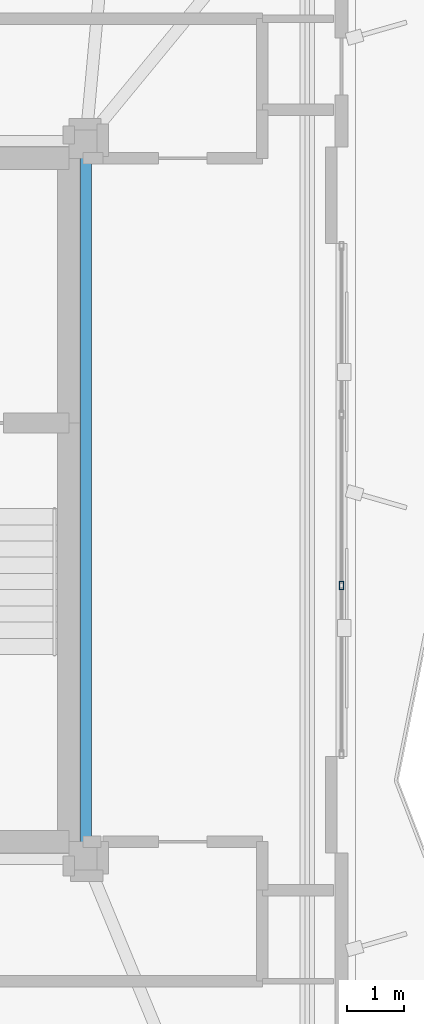
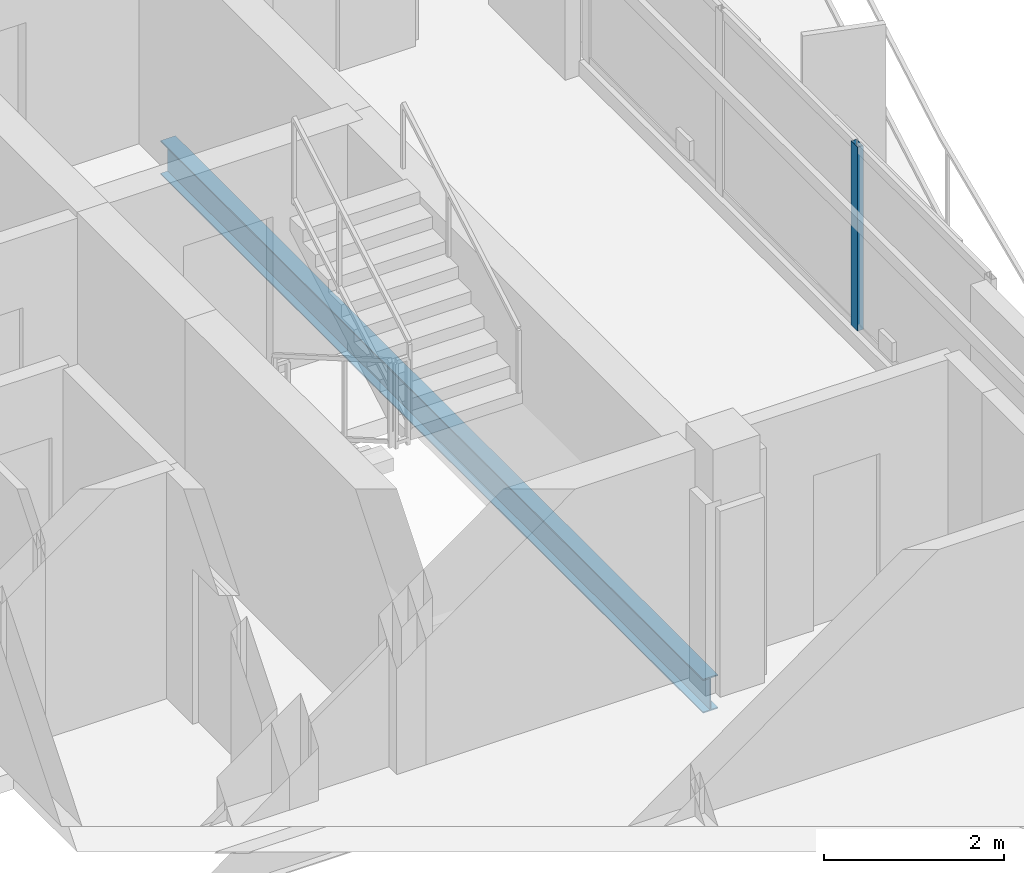
# One storey, part 11 of 22: 1 beam, 1 member, 1 element without a shape of its own.
"""IFC4 building model written with IfcOpenShell, lengths in metres."""

from ifc_helpers import new_model, si_unit, direction, frame, origin, origin_2d, place, context, subcontext, project, spatial, hollow_rectangle, i_section, extrude, material, layer, layer_set, material_profile, profile_set, type_object, element, aggregate, save


model = new_model("IFC4")

# Units and contexts
model_context = context("Model", 3, precision=1e-05, world=origin(), true_north=direction((0.0, 1.0)))
body_context = subcontext(model_context, "Body", "Model", "MODEL_VIEW")
ifc_project = project(units=[si_unit("LENGTHUNIT", "METRE"), si_unit("AREAUNIT", "SQUARE_METRE"), si_unit("VOLUMEUNIT", "CUBIC_METRE"), si_unit("PLANEANGLEUNIT", "RADIAN"), si_unit("MASSUNIT", "GRAM", prefix="KILO")], contexts=[model_context])

# Site, building, storey
site_placement = place(None, origin())
site = spatial("IfcSite", under=ifc_project, at=site_placement, CompositionType="ELEMENT")
building_placement = place(site_placement, origin())
building = spatial("IfcBuilding", under=site, at=building_placement, Name="Mersakhor Tower and Convention Hall", CompositionType="ELEMENT")
storey_placement = place(building_placement, frame((0.0, 0.0, 208.5)))
storey = spatial("IfcBuildingStorey", under=building, at=storey_placement, Name="L58", CompositionType="ELEMENT", Elevation=208.5)

# Beam
ifc_material_1 = material(Name="Steel S355", Category="steel")
ifc_material_profile_1 = material_profile(ifc_material_1, i_section(OverallWidth=0.19140625, OverallDepth=0.4599609375, WebThickness=0.010009765625, FlangeThickness=0.01611328125, at=origin_2d()), Name="UB 457x191x82")
ifc_profile_set_1 = profile_set([ifc_material_profile_1], Name="Steel S355")
beam_type = type_object("IfcBeamType", Name="BM-FB-457", PredefinedType="BEAM", material=ifc_profile_set_1)
beam_placement = place(storey_placement, frame((36.10009765625, 32.77001953125, -0.4599609375), z_axis=(0.0, -1.0, 0.0), x_axis=(1.0, 0.0, 0.0)))
element("IfcBeam", 1, at=beam_placement, inside=storey, type_object=beam_type, Name="L58 Core Ring Tie Beam CRB-3", PredefinedType="BEAM", context=body_context, shape_type="SweptSolid", body=[
    extrude(i_section(OverallWidth=0.19140625, OverallDepth=0.4599609375, WebThickness=0.010009765625, FlangeThickness=0.01611328125, at=origin_2d()), origin(), (0.0, 0.0, 1.0), 12.0400390625),
])

# Curtain wall, member
ifc_material_2 = material(Name="Dark solar low-E aluminium curtain wall", Category="aluminium")
ifc_layer = layer(ifc_material_2, 0.169921875)
ifc_layer_set = layer_set([ifc_layer], Name="Dark solar low-E aluminium curtain wall")
curtain_wall_type = type_object("IfcCurtainWallType", Name="CW-SYS-02", PredefinedType="USERDEFINED", material=ifc_layer_set)
curtain_wall_placement = place(storey_placement, origin())
curtain_wall = element("IfcCurtainWall", 2, at=curtain_wall_placement, inside=storey, type_object=curtain_wall_type, Name="L58 Dark-Glass Curtain Wall F2-B2", ObjectType="CURTAIN WALL", PredefinedType="USERDEFINED")
ifc_material_3 = material(Name="Anodised aluminium EN AW-6063 T6", Category="aluminium")
ifc_material_profile_2 = material_profile(ifc_material_3, hollow_rectangle(XDim=0.074951171875, YDim=0.14990234375, WallThickness=0.00634765625, at=origin_2d()), Name="RHS 150x75x6.3")
ifc_profile_set_2 = profile_set([ifc_material_profile_2], Name="Anodised aluminium EN AW-6063 T6")
member_type = type_object("IfcMemberType", Name="CWM-150x75", PredefinedType="MULLION", material=ifc_profile_set_2)
member_placement = place(storey_placement, frame((40.58837890625, 25.250244140625, 0.199951171875), z_axis=(0.0, 0.0, 1.0), x_axis=(1.0, 0.0, 0.0)))
member = element("IfcMember", 3, at=member_placement, type_object=member_type, Name="CW-02 mullion 3", PredefinedType="MULLION", context=body_context, shape_type="SweptSolid", body=[
    extrude(hollow_rectangle(XDim=0.074951171875, YDim=0.14990234375, WallThickness=0.00634765625, at=origin_2d()), origin(), (0.0, 0.0, 1.0), 2.489990234375),
])
aggregate(curtain_wall, [member])

save(model, "model.ifc")
